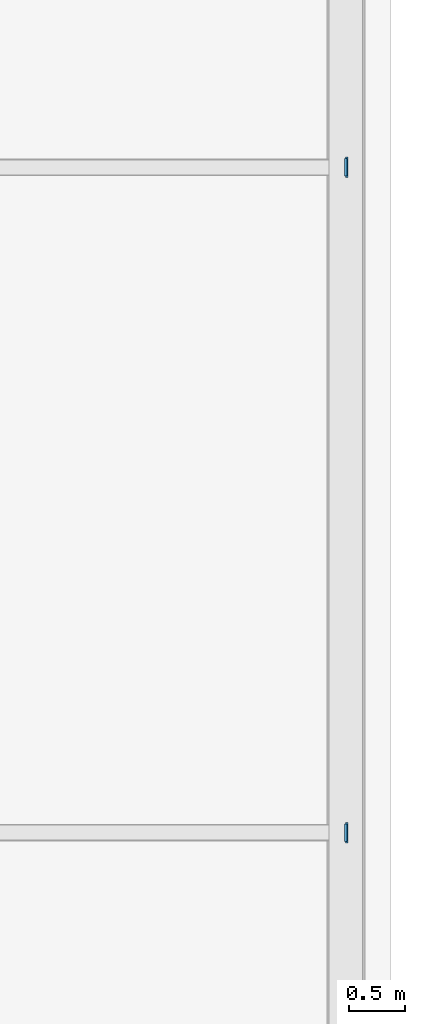
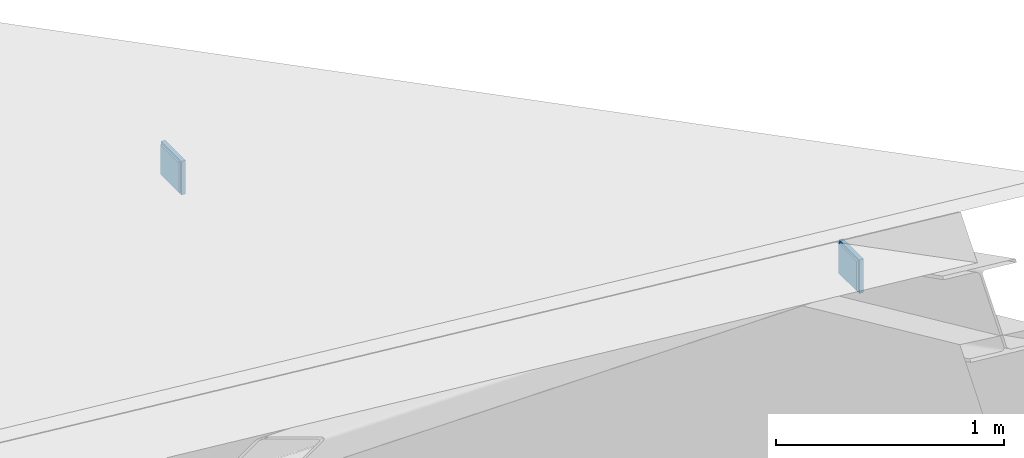
# One storey, part 39 of 45: 4 plates.
"""IFC4 building model written with IfcOpenShell, lengths in metres."""

from ifc_helpers import new_model, si_unit, direction, frame, origin, origin_2d, place, context, subcontext, project, spatial, rectangle, extrude, material, layer, layer_set, type_object, element, save


model = new_model("IFC4")

# Units and contexts
model_context = context("Model", 3, precision=1e-05, world=origin(), true_north=direction((0.0, 1.0)))
body_context = subcontext(model_context, "Body", "Model", "MODEL_VIEW")
ifc_project = project(units=[si_unit("LENGTHUNIT", "METRE"), si_unit("AREAUNIT", "SQUARE_METRE"), si_unit("VOLUMEUNIT", "CUBIC_METRE"), si_unit("PLANEANGLEUNIT", "RADIAN"), si_unit("MASSUNIT", "GRAM", prefix="KILO")], contexts=[model_context])

# Site, building, storey
site_placement = place(None, origin())
site = spatial("IfcSite", under=ifc_project, at=site_placement, CompositionType="ELEMENT")
building_placement = place(site_placement, origin())
building = spatial("IfcBuilding", under=site, at=building_placement, Name="Zhaolan Boulevard Law Courts", CompositionType="ELEMENT")
storey_placement = place(building_placement, frame((0.0, 0.0, 24.60009765625)))
storey = spatial("IfcBuildingStorey", under=building, at=storey_placement, Name="L05", CompositionType="ELEMENT", Elevation=24.60009765625)

# Plates
ifc_material = material(Name="Structural steel Q355B", Category="steel")
ifc_layer = layer(ifc_material, 0.02001953125)
ifc_layer_set = layer_set([ifc_layer])
plate_type = type_object("IfcPlateType", Name="END CAP PLATE 20", PredefinedType="SHEET", material=ifc_layer_set)
for number, where, z_axis, x_axis, name in (
    (1, (44.0, 106.050048828125, 2.62109375), (0.0, 0.0, 1.0), (1.0, 0.0, 0.0), "Library Purlin End-Cap Plate ECP-LPR1NE"),
    (2, (44.0, 100.10009765625, 5.701171875), (0.0, 0.0, 1.0), (1.0, 0.0, 0.0), "Library Purlin End-Cap Plate ECP-LPR2NE"),
):
    element("IfcPlate", number, at=place(storey_placement, frame(where, z_axis=z_axis, x_axis=x_axis)), inside=storey, type_object=plate_type, Name=name, PredefinedType="SHEET", context=body_context, shape_type="SweptSolid", body=[
        extrude(rectangle(XDim=0.02001953125, YDim=0.159912109375, at=origin_2d()), origin(), (0.0, 0.0, 1.0), 0.159912109375),
    ])
for number, where, z_axis, x_axis, name in (
    (3, (44.008056640625, 106.050048828125, 2.61083984375), (0.0, 0.0, 1.0), (1.0, 0.0, 0.0), "Hollow Section End-Cap Plate ECP-1484"),
    (4, (44.008056640625, 100.10009765625, 5.69091796875), (0.0, 0.0, 1.0), (1.0, 0.0, 0.0), "Hollow Section End-Cap Plate ECP-1488"),
):
    element("IfcPlate", number, at=place(storey_placement, frame(where, z_axis=z_axis, x_axis=x_axis)), inside=storey, type_object=plate_type, Name=name, PredefinedType="SHEET", context=body_context, shape_type="SweptSolid", body=[
        extrude(rectangle(XDim=0.02001953125, YDim=0.179931640625, at=origin_2d()), origin(), (0.0, 0.0, 1.0), 0.179931640625),
    ])

save(model, "model.ifc")
